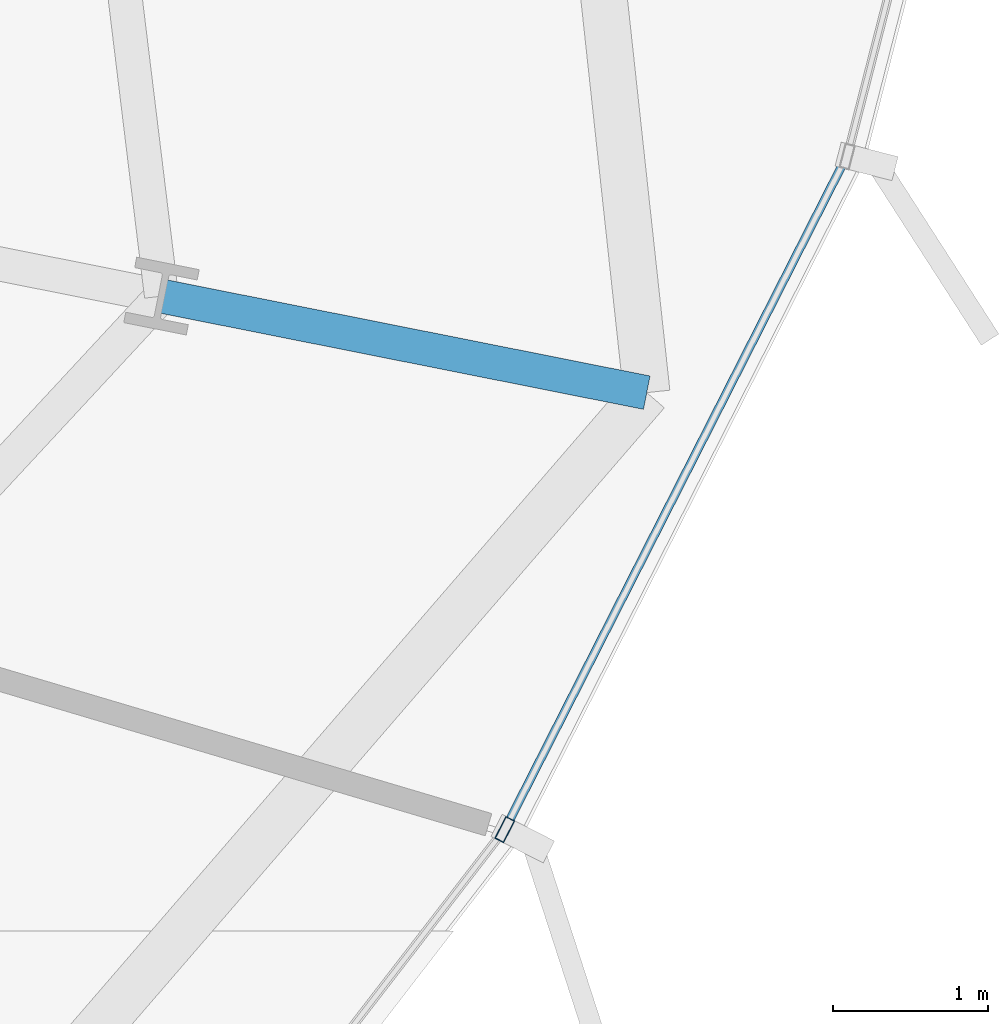
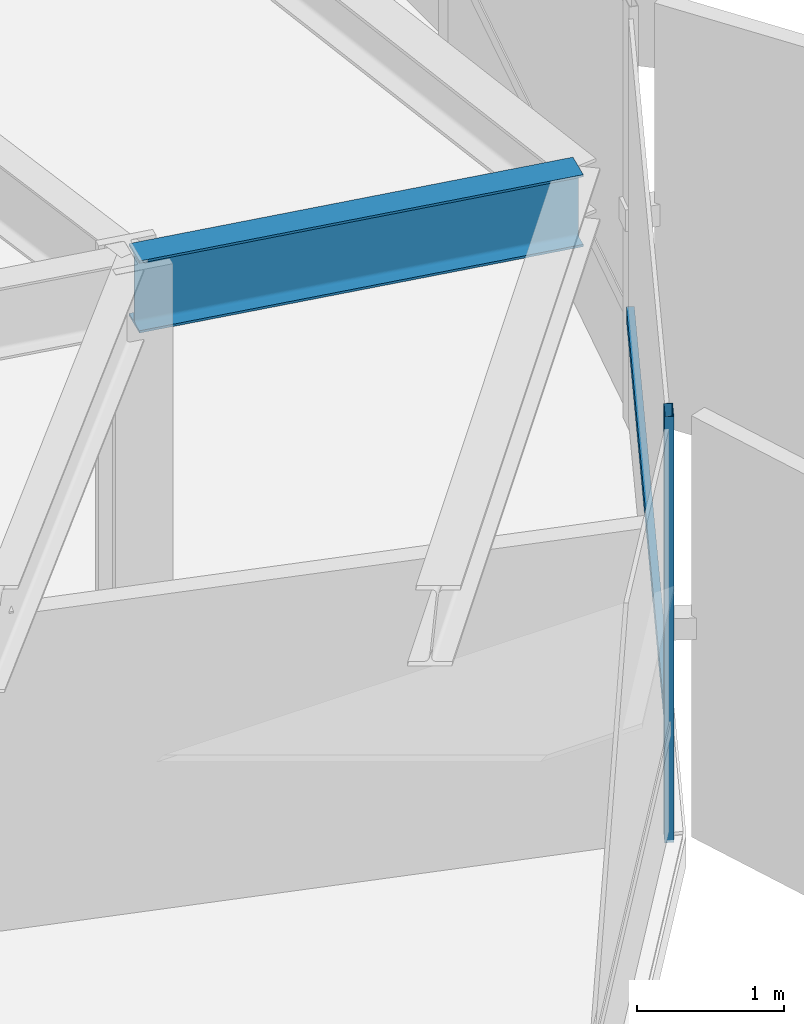
# One storey, part 16 of 37: 2 members, 1 beam, 1 element without a shape of its own.
"""IFC4 building model written with IfcOpenShell, lengths in metres."""

from ifc_helpers import new_model, si_unit, direction, frame, origin, origin_2d, place, context, subcontext, project, spatial, hollow_rectangle, i_section, extrude, source, transform, mapped, material, layer, layer_set, material_profile, profile_set, type_object, element, aggregate, save


model = new_model("IFC4")

# Units and contexts
model_context = context("Model", 3, precision=1e-05, world=origin(), true_north=direction((0.0, 1.0)))
body_context = subcontext(model_context, "Body", "Model", "MODEL_VIEW")
ifc_project = project(units=[si_unit("LENGTHUNIT", "METRE"), si_unit("AREAUNIT", "SQUARE_METRE"), si_unit("VOLUMEUNIT", "CUBIC_METRE"), si_unit("PLANEANGLEUNIT", "RADIAN"), si_unit("MASSUNIT", "GRAM", prefix="KILO"), si_unit("THERMODYNAMICTEMPERATUREUNIT", "KELVIN")], contexts=[model_context])

# Site, building, storey
site_placement = place(None, origin())
site = spatial("IfcSite", under=ifc_project, at=site_placement, CompositionType="ELEMENT")
building_placement = place(site_placement, origin())
building = spatial("IfcBuilding", under=site, at=building_placement, Name="Kethvar Cultural Tower", CompositionType="ELEMENT")
storey_placement = place(building_placement, frame((0.0, 0.0, 60.0)))
storey = spatial("IfcBuildingStorey", under=building, at=storey_placement, Name="L14", CompositionType="ELEMENT", Elevation=60.0)

# Beam
ifc_material_1 = material(Name="Steel S355J2", Category="steel")
ifc_material_profile_1 = material_profile(ifc_material_1, i_section(OverallWidth=0.219970703125, OverallDepth=0.60009765625, WebThickness=0.011962890625, FlangeThickness=0.01904296875, FilletRadius=0.02392578125, at=origin_2d()), Name="Steel S355J2 — IPE600")
ifc_profile_set_1 = profile_set([ifc_material_profile_1], Name="Steel S355J2 — IPE600")
beam_type = type_object("IfcBeamType", Name="BM-IPE600", PredefinedType="BEAM", material=ifc_profile_set_1)
shared_shape_1 = source(origin(), body_context, "Body", "SweptSolid", [
    extrude(i_section(OverallWidth=0.219970703125, OverallDepth=0.60009765625, WebThickness=0.011962890625, FlangeThickness=0.01904296875, FilletRadius=0.02392578125, at=origin_2d()), origin(), (0.0, 0.0, 1.0), 3.199951171875),
])
beam_placement = place(storey_placement, frame((74.9912109375, 22.1923828125, 3.248046875), z_axis=(0.980785550224, -0.195088965533, 0.0), x_axis=(0.195088965533, 0.980785550224, 0.0)))
element("IfcBeam", 1, at=beam_placement, inside=storey, type_object=beam_type, Name="L14 Perimeter Cantilever Beam RC-16", PredefinedType="BEAM", context=body_context, shape_type="MappedRepresentation", body=[
    mapped(shared_shape_1, transform((0.0, 0.0, 0.0), scale=1.0)),
])

# Curtain wall, members
ifc_material_2 = material(Name="Aluminium 6063-T6", Category="aluminium")
ifc_layer = layer(ifc_material_2, 0.179931640625, Name="Aluminium 6063-T6", Category="aluminium")
ifc_layer_set = layer_set([ifc_layer], Name="Aluminium 6063-T6 (180 mm)")
curtain_wall_type = type_object("IfcCurtainWallType", Name="CW-SYS-02-Z1", PredefinedType="NOTDEFINED", material=ifc_layer_set)
curtain_wall_placement = place(storey_placement, origin())
curtain_wall = element("IfcCurtainWall", 2, at=curtain_wall_placement, inside=storey, type_object=curtain_wall_type, Name="L14 Curtain Wall Run 06", PredefinedType="NOTDEFINED")
ifc_material_profile_2 = material_profile(ifc_material_2, hollow_rectangle(XDim=0.06494140625, YDim=0.159912109375, WallThickness=0.0048828125, at=origin_2d()), Name="Aluminium 6063-T6 — RHS160x65x5")
ifc_profile_set_2 = profile_set([ifc_material_profile_2], Name="Aluminium 6063-T6 — RHS160x65x5")
member_type_1 = type_object("IfcMemberType", Name="CW-SYS-02-Z1-MUL", PredefinedType="MULLION", material=ifc_profile_set_2)
shared_shape_2 = source(origin(), body_context, "Body", "SweptSolid", [
    extrude(hollow_rectangle(XDim=0.06494140625, YDim=0.159912109375, WallThickness=0.0048828125, at=origin_2d()), origin(), (0.0, 0.0, 1.0), 3.550048828125),
])
member_1_placement = place(storey_placement, frame((77.21142578125, 18.742431640625, 0.0), z_axis=(0.0, 0.0, 1.0), x_axis=(-0.891607935966, 0.452808224885, 0.0)))
member_1 = element("IfcMember", 3, at=member_1_placement, type_object=member_type_1, Name="CW-L14-R06 Mullion 4", PredefinedType="MULLION", context=body_context, shape_type="MappedRepresentation", body=[
    mapped(shared_shape_2, transform((0.0, 0.0, 0.0), scale=1.0)),
])
ifc_material_profile_3 = material_profile(ifc_material_2, hollow_rectangle(XDim=0.054931640625, YDim=0.1201171875, WallThickness=0.00390625, at=origin_2d()), Name="Aluminium 6063-T6 — RHS120x55x4")
ifc_profile_set_3 = profile_set([ifc_material_profile_3], Name="Aluminium 6063-T6 — RHS120x55x4")
member_type_2 = type_object("IfcMemberType", Name="CW-SYS-02-Z1-TRN", PredefinedType="USERDEFINED", material=ifc_profile_set_3)
shared_shape_3 = source(origin(), body_context, "Body", "SweptSolid", [
    extrude(hollow_rectangle(XDim=0.054931640625, YDim=0.1201171875, WallThickness=0.00390625, at=origin_2d()), origin(), (0.0, 0.0, 1.0), 4.816650390625),
])
member_2_placement = place(storey_placement, frame((77.232666015625, 18.7841796875, 0.949951171875), z_axis=(0.452780395624, 0.891622068669, 0.0), x_axis=(-0.891622068669, 0.452780395624, 0.0)))
member_2 = element("IfcMember", 4, at=member_2_placement, type_object=member_type_2, Name="CW-L14-R06 Transom 4", ObjectType="TRANSOM", PredefinedType="USERDEFINED", context=body_context, shape_type="MappedRepresentation", body=[
    mapped(shared_shape_3, transform((0.0, 0.0, 0.0), scale=1.0)),
])
aggregate(curtain_wall, [member_1, member_2])

save(model, "model.ifc")
